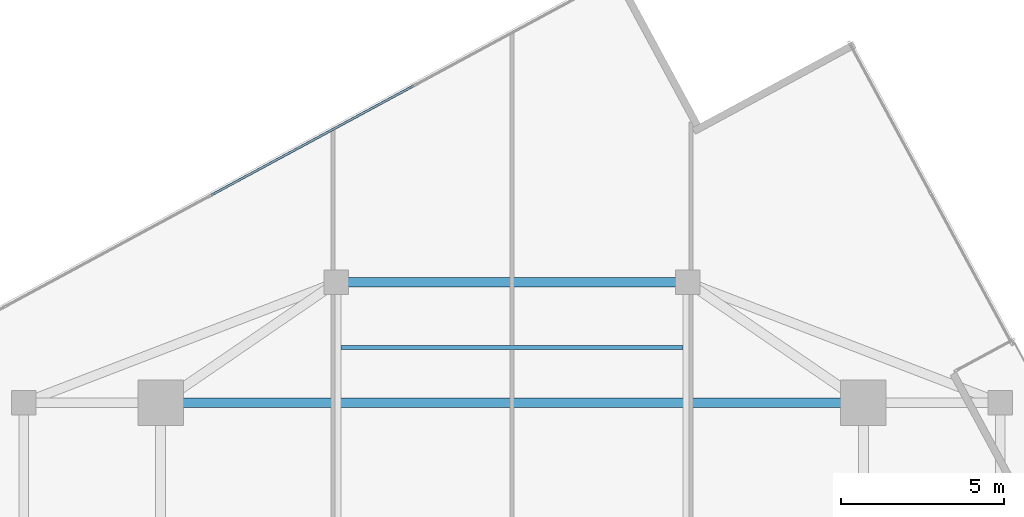
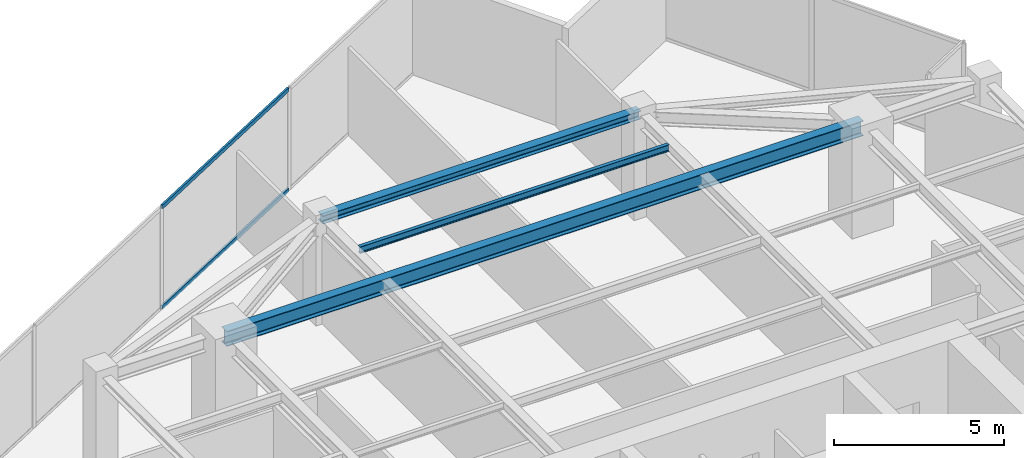
# One storey, part 15 of 22: 3 beams, 2 members, 1 element without a shape of its own.
"""IFC4 building model written with IfcOpenShell, lengths in metres."""

from ifc_helpers import new_model, si_unit, direction, frame, origin, origin_2d, place, context, subcontext, project, spatial, hollow_rectangle, i_section, extrude, source, transform, mapped, material, material_profile, profile_set, type_object, type_shapes, element, aggregate, save


model = new_model("IFC4")

# Units and contexts
model_context = context("Model", 3, precision=1e-05, world=origin(), true_north=direction((0.0, 1.0)))
body_context = subcontext(model_context, "Body", "Model", "MODEL_VIEW")
ifc_project = project(units=[si_unit("LENGTHUNIT", "METRE"), si_unit("AREAUNIT", "SQUARE_METRE"), si_unit("VOLUMEUNIT", "CUBIC_METRE"), si_unit("PLANEANGLEUNIT", "RADIAN"), si_unit("MASSUNIT", "GRAM", prefix="KILO")], contexts=[model_context])

# Site, building, storey
site_placement = place(None, origin())
site = spatial("IfcSite", under=ifc_project, at=site_placement, CompositionType="ELEMENT")
building_placement = place(site_placement, origin())
building = spatial("IfcBuilding", under=site, at=building_placement, Name="Krantzveldt Concourse Tower", CompositionType="ELEMENT")
storey_placement = place(building_placement, frame((0.0, 0.0, 302.949951171875)))
storey = spatial("IfcBuildingStorey", under=building, at=storey_placement, Name="L74", CompositionType="ELEMENT", Elevation=302.949951171875)

# Beams
ifc_material_1 = material(Name="Steel S355JR", Category="steel")
ifc_material_profile_1 = material_profile(ifc_material_1, i_section(OverallWidth=0.300048828125, OverallDepth=0.5400390625, WebThickness=0.012451171875, FlangeThickness=0.02392578125, FilletRadius=0.027099609375, at=origin_2d()), Name="Steel S355JR", Category="steel")
ifc_profile_set_1 = profile_set([ifc_material_profile_1], Name="Steel S355JR - HEA 550")
beam_type_1 = type_object("IfcBeamType", Name="BM-B-HEA550", PredefinedType="BEAM", material=ifc_profile_set_1)
shared_shape_1 = source(origin(), body_context, "Body", "SweptSolid", [
    extrude(i_section(OverallWidth=0.300048828125, OverallDepth=0.5400390625, WebThickness=0.012451171875, FlangeThickness=0.02392578125, FilletRadius=0.027099609375, at=origin_2d()), origin(), (0.0, 0.0, 1.0), 21.60009765625),
])
type_shapes(beam_type_1, [shared_shape_1])
beam_1_placement = place(storey_placement, frame((25.199951171875, 37.5, 3.400146484375), z_axis=(1.0, 0.0, 0.0), x_axis=(0.0, 1.0, 0.0)))
element("IfcBeam", 1, at=beam_1_placement, inside=storey, type_object=beam_type_1, Name="L74 Tower Girder BG-MN", PredefinedType="BEAM", context=body_context, shape_type="MappedRepresentation", body=[
    mapped(shared_shape_1, transform((0.0, 0.0, 0.0), x_axis=(1.0, 0.0, 0.0), y_axis=(0.0, 1.0, 0.0), z_axis=(0.0, 0.0, 1.0), scale=1.0)),
])
ifc_material_profile_2 = material_profile(ifc_material_1, i_section(OverallWidth=0.2900390625, OverallDepth=0.2900390625, WebThickness=0.008544921875, FlangeThickness=0.013916015625, FilletRadius=0.027099609375, at=origin_2d()), Name="Steel S355JR", Category="steel")
ifc_profile_set_2 = profile_set([ifc_material_profile_2], Name="Steel S355JR - HEA 300")
beam_type_2 = type_object("IfcBeamType", Name="BM-SP-HEA300", PredefinedType="SPANDREL", material=ifc_profile_set_2)
shared_shape_2 = source(origin(), body_context, "Body", "SweptSolid", [
    extrude(i_section(OverallWidth=0.2900390625, OverallDepth=0.2900390625, WebThickness=0.008544921875, FlangeThickness=0.013916015625, FilletRadius=0.027099609375, at=origin_2d()), origin(), (0.0, 0.0, 1.0), 10.7998046875),
])
type_shapes(beam_type_2, [shared_shape_2])
beam_2_placement = place(storey_placement, frame((30.60009765625, 41.199951171875, 3.525146484375), z_axis=(1.0, 0.0, 0.0), x_axis=(0.0, 1.0, 0.0)))
element("IfcBeam", 2, at=beam_2_placement, inside=storey, type_object=beam_type_2, Name="L74 Tower Girder SP-R04", PredefinedType="SPANDREL", context=body_context, shape_type="MappedRepresentation", body=[
    mapped(shared_shape_2, transform((0.0, 0.0, 0.0), x_axis=(1.0, 0.0, 0.0), y_axis=(0.0, 1.0, 0.0), z_axis=(0.0, 0.0, 1.0), scale=1.0)),
])
ifc_material_profile_3 = material_profile(ifc_material_1, i_section(OverallWidth=0.1201171875, OverallDepth=0.239990234375, WebThickness=0.006103515625, FlangeThickness=0.009765625, FilletRadius=0.014892578125, at=origin_2d()), Name="Steel S355JR", Category="steel")
ifc_profile_set_3 = profile_set([ifc_material_profile_3], Name="Steel S355JR - IPE 240")
beam_type_3 = type_object("IfcBeamType", Name="BM-LN-IPE240", PredefinedType="LINTEL", material=ifc_profile_set_3)
shared_shape_3 = source(origin(), body_context, "Body", "SweptSolid", [
    extrude(i_section(OverallWidth=0.1201171875, OverallDepth=0.239990234375, WebThickness=0.006103515625, FlangeThickness=0.009765625, FilletRadius=0.014892578125, at=origin_2d()), origin(), (0.0, 0.0, 1.0), 10.5),
])
type_shapes(beam_type_3, [shared_shape_3])
beam_3_placement = place(storey_placement, frame((30.75, 39.199951171875, 3.550048828125), z_axis=(1.0, 0.0, 0.0), x_axis=(0.0, 1.0, 0.0)))
element("IfcBeam", 3, at=beam_3_placement, inside=storey, type_object=beam_type_3, Name="L74 Secondary Floor Joist JN-C3", PredefinedType="LINTEL", context=body_context, shape_type="MappedRepresentation", body=[
    mapped(shared_shape_3, transform((0.0, 0.0, 0.0), x_axis=(1.0, 0.0, 0.0), y_axis=(0.0, 1.0, 0.0), z_axis=(0.0, 0.0, 1.0), scale=1.0)),
])

# Curtain wall, members
ifc_material_2 = material(Name="Anodised aluminium 6063-T6", Category="aluminium")
curtain_wall_type = type_object("IfcCurtainWallType", Name="CW4", PredefinedType="USERDEFINED", material=ifc_material_2)
curtain_wall_placement = place(storey_placement, origin())
curtain_wall = element("IfcCurtainWall", 4, at=curtain_wall_placement, inside=storey, type_object=curtain_wall_type, Name="CW-L74-F01", ObjectType="UNITISED CURTAIN WALL", PredefinedType="USERDEFINED")
ifc_material_profile_4 = material_profile(ifc_material_2, hollow_rectangle(XDim=0.070068359375, YDim=0.139892578125, WallThickness=0.0048828125, at=origin_2d()), Name="Anodised aluminium 6063-T6", Category="aluminium")
ifc_profile_set_4 = profile_set([ifc_material_profile_4], Name="Anodised aluminium 6063-T6 - ALU-TRAN 140x70x5")
member_type = type_object("IfcMemberType", Name="CW-TRN-150", PredefinedType="USERDEFINED", material=ifc_profile_set_4)
shared_shape_4 = source(origin(), body_context, "Body", "SweptSolid", [
    extrude(hollow_rectangle(XDim=0.070068359375, YDim=0.139892578125, WallThickness=0.0048828125, at=origin_2d()), origin(), (0.0, 0.0, 1.0), 7.080078125),
])
type_shapes(member_type, [shared_shape_4])
member_1_placement = place(storey_placement, frame((32.98828125, 47.247314453125, 0.03515625), z_axis=(-0.879856953046, -0.47523861604, 0.0), x_axis=(0.47523861604, -0.879856953046, 0.0)))
member_1 = element("IfcMember", 5, at=member_1_placement, type_object=member_type, Name="CW-Z56 transom 2.1", ObjectType="TRANSOM", PredefinedType="USERDEFINED", context=body_context, shape_type="MappedRepresentation", body=[
    mapped(shared_shape_4, transform((0.0, 0.0, 0.0), x_axis=(1.0, 0.0, 0.0), y_axis=(0.0, 1.0, 0.0), z_axis=(0.0, 0.0, 1.0), scale=1.0)),
])
member_2_placement = place(storey_placement, frame((32.98828125, 47.247314453125, 3.635009765625), z_axis=(-0.879856953046, -0.47523861604, 0.0), x_axis=(0.47523861604, -0.879856953046, 0.0)))
member_2 = element("IfcMember", 6, at=member_2_placement, type_object=member_type, Name="CW-Z56 transom 2.2", ObjectType="TRANSOM", PredefinedType="USERDEFINED", context=body_context, shape_type="MappedRepresentation", body=[
    mapped(shared_shape_4, transform((0.0, 0.0, 0.0), x_axis=(1.0, 0.0, 0.0), y_axis=(0.0, 1.0, 0.0), z_axis=(0.0, 0.0, 1.0), scale=1.0)),
])
aggregate(curtain_wall, [member_1, member_2])

save(model, "model.ifc")
